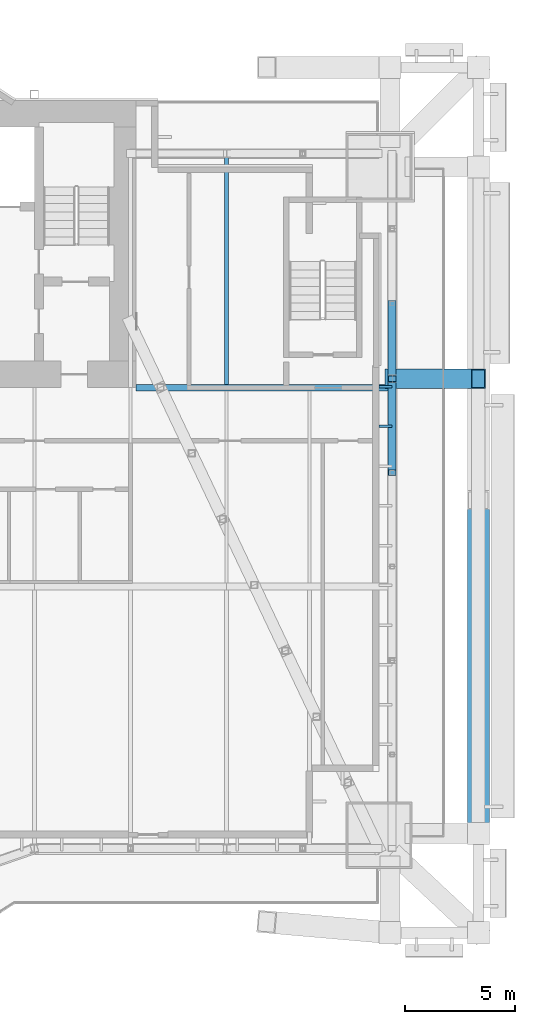
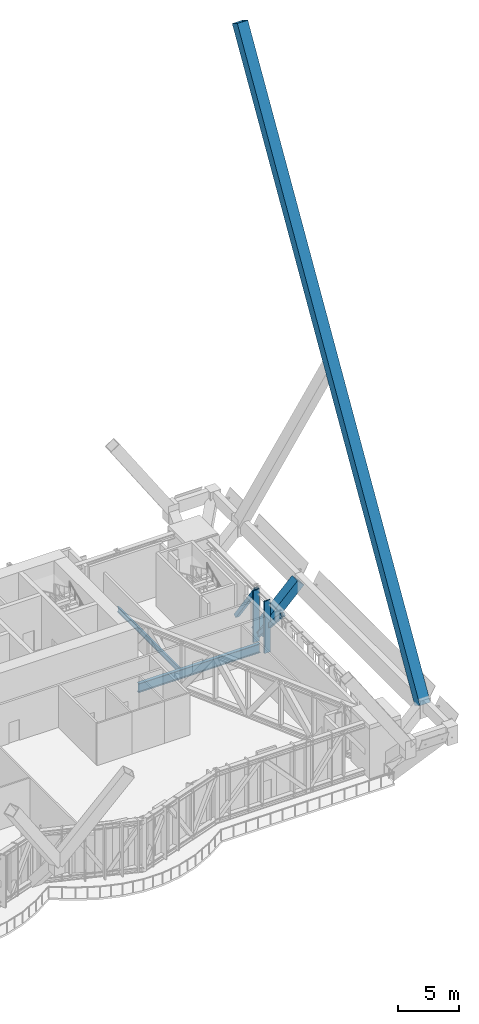
# One storey, part 16 of 32: 6 members, 2 beams, 1 element without a shape of its own.
"""IFC4 building model written with IfcOpenShell, lengths in metres."""

from ifc_helpers import new_model, si_unit, direction, frame, origin, origin_2d, place, context, subcontext, project, spatial, rectangle, hollow_rectangle, i_section, extrude, material, material_profile, profile_set, type_object, element, aggregate, save


model = new_model("IFC4")

# Units and contexts
model_context = context("Model", 3, precision=1e-05, world=origin(), true_north=direction((0.0, 1.0)))
body_context = subcontext(model_context, "Body", "Model", "MODEL_VIEW")
ifc_project = project(units=[si_unit("LENGTHUNIT", "METRE"), si_unit("AREAUNIT", "SQUARE_METRE"), si_unit("VOLUMEUNIT", "CUBIC_METRE"), si_unit("PLANEANGLEUNIT", "RADIAN"), si_unit("MASSUNIT", "GRAM", prefix="KILO")], contexts=[model_context])

# Site, building, storey
site_placement = place(None, origin())
site = spatial("IfcSite", under=ifc_project, at=site_placement, CompositionType="ELEMENT")
building_placement = place(site_placement, origin())
building = spatial("IfcBuilding", under=site, at=building_placement, Name="Bicima Exchange Tower", CompositionType="ELEMENT")
storey_placement = place(building_placement, frame((0.0, 0.0, 135.0)))
storey = spatial("IfcBuildingStorey", under=building, at=storey_placement, Name="L29", CompositionType="ELEMENT", Elevation=135.0)

# Curtain wall, members
ifc_material_1 = material(Name="Anodised bronze aluminium", Category="aluminium")
curtain_wall_type = type_object("IfcCurtainWallType", Name="Band blade screen", PredefinedType="NOTDEFINED", material=ifc_material_1)
curtain_wall_placement = place(storey_placement, origin())
curtain_wall = element("IfcCurtainWall", 1, at=curtain_wall_placement, inside=storey, type_object=curtain_wall_type, Name="Band blade screen L29", PredefinedType="NOTDEFINED")
ifc_material_profile_1 = material_profile(ifc_material_1, rectangle(XDim=0.60009765625, YDim=0.1201171875, at=origin_2d()))
ifc_profile_set_1 = profile_set([ifc_material_profile_1], Name="Anodised bronze aluminium")
member_type_1 = type_object("IfcMemberType", Name="Band blade fin 600 x 120", PredefinedType="USERDEFINED", material=ifc_profile_set_1)
member_1_placement = place(storey_placement, frame((33.300048828125, -14.756103515625, 0.0), z_axis=(0.0, 0.0, 1.0), x_axis=(-1.0, 0.0, 0.0)))
member_1 = element("IfcMember", 2, at=member_1_placement, type_object=member_type_1, Name="Band blade fin 9", ObjectType="FIN", PredefinedType="USERDEFINED", context=body_context, shape_type="SweptSolid", body=[
    extrude(rectangle(XDim=0.60009765625, YDim=0.1201171875, at=origin_2d()), origin(), (0.0, 0.0, 1.0), 5.25),
])
member_2_placement = place(storey_placement, frame((33.300048828125, -12.9560546875, 0.0), z_axis=(0.0, 0.0, 1.0), x_axis=(-1.0, 0.0, 0.0)))
member_2 = element("IfcMember", 3, at=member_2_placement, type_object=member_type_1, Name="Band blade fin 10", ObjectType="FIN", PredefinedType="USERDEFINED", context=body_context, shape_type="SweptSolid", body=[
    extrude(rectangle(XDim=0.60009765625, YDim=0.1201171875, at=origin_2d()), origin(), (0.0, 0.0, 1.0), 5.25),
])
aggregate(curtain_wall, [member_1, member_2])

# Members
ifc_material_2 = material(Name="Steel ASTM A572 Gr 50", Category="steel")
ifc_material_profile_2 = material_profile(ifc_material_2, hollow_rectangle(XDim=0.355712890625, YDim=0.355712890625, WallThickness=0.0146484375, at=origin_2d()))
ifc_profile_set_2 = profile_set([ifc_material_profile_2], Name="Steel ASTM A572 Gr 50")
member_type_2 = type_object("IfcMemberType", Name="Belt truss diagonal HSS14x14x5/8", PredefinedType="STRUT", material=ifc_profile_set_2)
member_3_placement = place(storey_placement, frame((33.60009765625, -9.199951171875, 0.248779296875), z_axis=(0.0, -0.581866410253, 0.813284378688), x_axis=(1.0, 0.0, 0.0)))
element("IfcMember", 4, at=member_3_placement, inside=storey, type_object=member_type_2, Name="Truss diagonal", PredefinedType="STRUT", context=body_context, shape_type="SweptSolid", body=[
    extrude(hollow_rectangle(XDim=0.355712890625, YDim=0.355712890625, WallThickness=0.0146484375, at=origin_2d()), origin(), (0.0, 0.0, 1.0), 5.843505859375),
])
member_4_placement = place(storey_placement, frame((33.60009765625, -12.60009765625, 0.248779296875), z_axis=(0.0, -0.666881015123, 0.74516421792), x_axis=(1.0, 0.0, 0.0)))
element("IfcMember", 5, at=member_4_placement, inside=storey, type_object=member_type_2, Name="Truss diagonal", PredefinedType="STRUT", context=body_context, shape_type="SweptSolid", body=[
    extrude(hollow_rectangle(XDim=0.355712890625, YDim=0.355712890625, WallThickness=0.0146484375, at=origin_2d()), origin(), (0.0, 0.0, 1.0), 6.377685546875),
])

# Beam
ifc_material_3 = material(Name="Steel ASTM A992 Gr 50", Category="steel")
ifc_material_profile_3 = material_profile(ifc_material_3, i_section(OverallWidth=0.3046875, OverallDepth=0.911865234375, WebThickness=0.015869140625, FlangeThickness=0.02392578125, at=origin_2d()))
ifc_profile_set_3 = profile_set([ifc_material_profile_3], Name="Steel ASTM A992 Gr 50")
beam_type_1 = type_object("IfcBeamType", Name="Core-line girder W36x150", PredefinedType="BEAM", material=ifc_profile_set_3)
beam_1_placement = place(storey_placement, frame((22.0, -13.0, -0.656005859375), z_axis=(1.0, 0.0, 0.0), x_axis=(0.0, 1.0, 0.0)))
element("IfcBeam", 6, at=beam_1_placement, inside=storey, type_object=beam_type_1, Name="Core-line girder", PredefinedType="BEAM", context=body_context, shape_type="SweptSolid", body=[
    extrude(i_section(OverallWidth=0.3046875, OverallDepth=0.911865234375, WebThickness=0.015869140625, FlangeThickness=0.02392578125, at=origin_2d()), origin(), (0.0, 0.0, 1.0), 11.60009765625),
])

# Members
ifc_material_profile_4 = material_profile(ifc_material_2, hollow_rectangle(XDim=1.0, YDim=1.0, WallThickness=0.06005859375, at=origin_2d()))
ifc_profile_set_4 = profile_set([ifc_material_profile_4], Name="Steel ASTM A572 Gr 50")
member_type_3 = type_object("IfcMemberType", Name="Exo mega brace BOX 1000x1000x60", PredefinedType="BRACE", material=ifc_profile_set_4)
member_5_placement = place(storey_placement, frame((37.5, -33.184814453125, 4.5), z_axis=(0.0, 0.513055453461, 0.858355463473), x_axis=(-1.0, 0.0, 0.0)))
element("IfcMember", 7, at=member_5_placement, inside=storey, type_object=member_type_3, Name="Exo mega brace end", PredefinedType="BRACE", context=body_context, shape_type="SweptSolid", body=[
    extrude(hollow_rectangle(XDim=1.0, YDim=1.0, WallThickness=0.06005859375, at=origin_2d()), origin(), (0.0, 0.0, 1.0), 58.83349609375),
])
ifc_material_profile_5 = material_profile(ifc_material_2, hollow_rectangle(XDim=0.89990234375, YDim=0.89990234375, WallThickness=0.050048828125, at=origin_2d()))
ifc_profile_set_5 = profile_set([ifc_material_profile_5], Name="Steel ASTM A572 Gr 50")
member_type_4 = type_object("IfcMemberType", Name="Exo outrigger stub BOX 900x900x50", PredefinedType="STRUT", material=ifc_profile_set_5)
member_6_placement = place(storey_placement, frame((33.60009765625, -12.60009765625, 0.60009765625), z_axis=(0.707106781187, 0.0, 0.707106781187), x_axis=(0.0, 1.0, 0.0)))
element("IfcMember", 8, at=member_6_placement, inside=storey, type_object=member_type_4, Name="Exo outrigger stub", PredefinedType="STRUT", context=body_context, shape_type="SweptSolid", body=[
    extrude(hollow_rectangle(XDim=0.89990234375, YDim=0.89990234375, WallThickness=0.050048828125, at=origin_2d()), origin(), (0.0, 0.0, 1.0), 5.515380859375),
])

# Beam
ifc_material_profile_6 = material_profile(ifc_material_3, i_section(OverallWidth=0.165771484375, OverallDepth=0.5283203125, WebThickness=0.009765625, FlangeThickness=0.013671875, at=origin_2d()))
ifc_profile_set_6 = profile_set([ifc_material_profile_6], Name="Steel ASTM A992 Gr 50")
beam_type_2 = type_object("IfcBeamType", Name="Floor beam W21x50", PredefinedType="JOIST", material=ifc_profile_set_6)
beam_2_placement = place(storey_placement, frame((26.10009765625, -2.5625, -0.464111328125), z_axis=(0.0, -1.0, 0.0), x_axis=(1.0, 0.0, 0.0)))
element("IfcBeam", 9, at=beam_2_placement, inside=storey, type_object=beam_type_2, Name="Floor beam", PredefinedType="JOIST", context=body_context, shape_type="SweptSolid", body=[
    extrude(i_section(OverallWidth=0.165771484375, OverallDepth=0.5283203125, WebThickness=0.009765625, FlangeThickness=0.013671875, at=origin_2d()), origin(), (0.0, 0.0, 1.0), 10.28515625),
])

save(model, "model.ifc")
